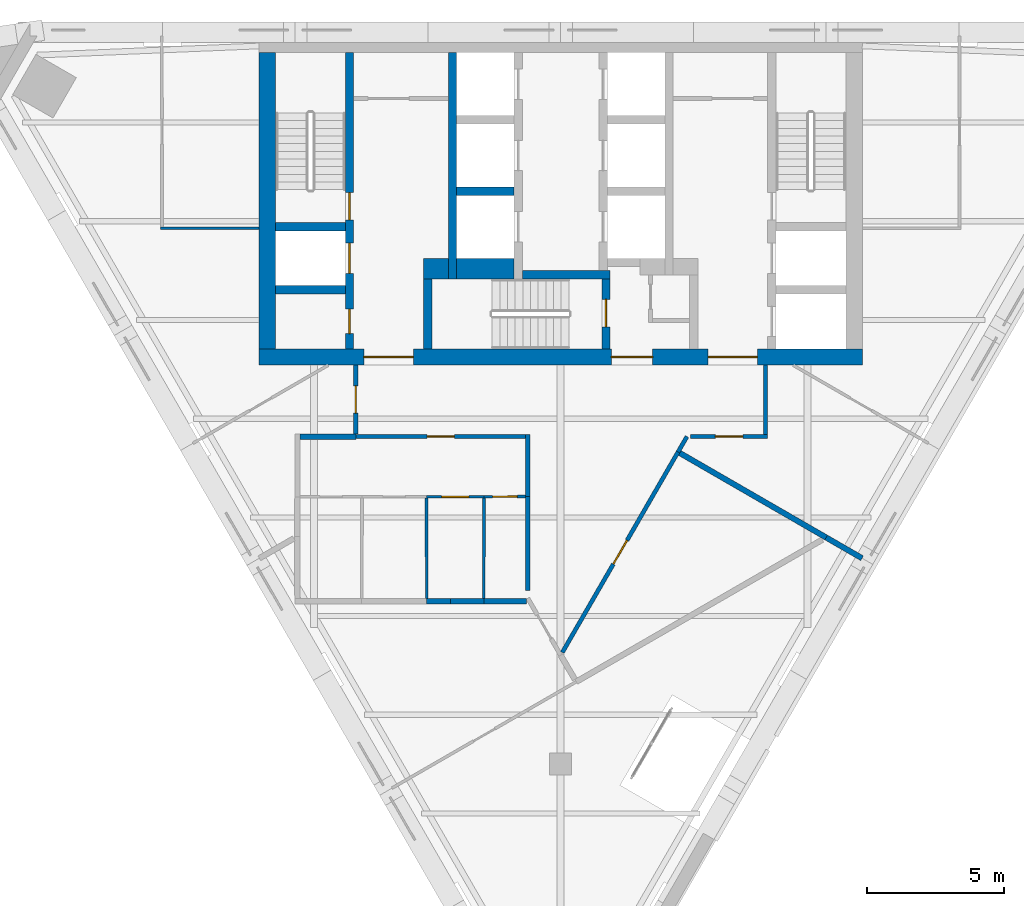
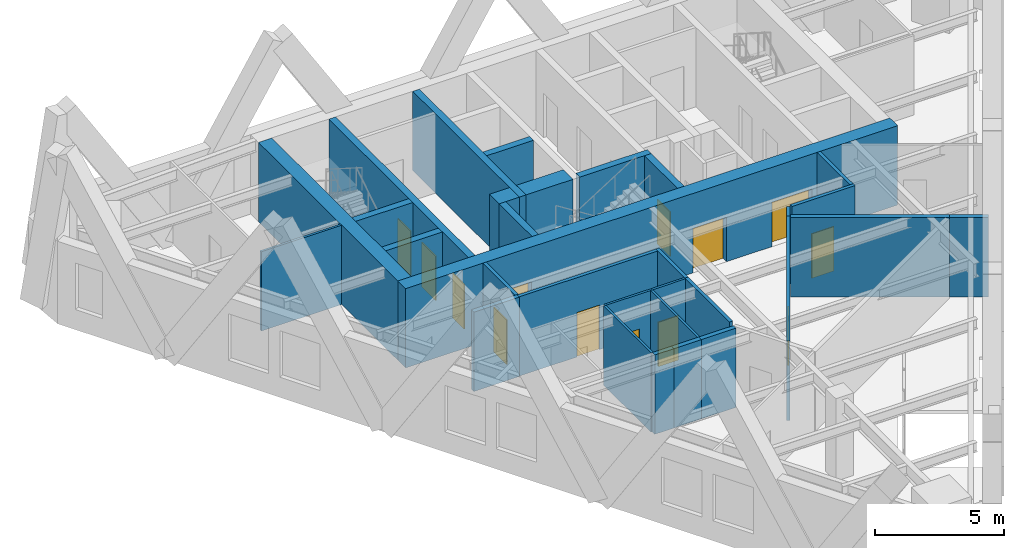
# One storey, part 5 of 10: 31 walls, 13 doors, 13 openings.
"""IFC4 building model written with IfcOpenShell, lengths in metres."""

from ifc_helpers import new_model, si_unit, direction, frame, frame_2d, origin, place, context, subcontext, project, spatial, rectangle, extrude, material, layer, layer_set, type_object, element, fill, save


model = new_model("IFC4")

# Units and contexts
model_context = context("Model", 3, precision=1e-05, world=origin(), true_north=direction((0.0, 1.0)))
body_context = subcontext(model_context, "Body", "Model", "MODEL_VIEW")
ifc_project = project(units=[si_unit("LENGTHUNIT", "METRE"), si_unit("AREAUNIT", "SQUARE_METRE"), si_unit("VOLUMEUNIT", "CUBIC_METRE"), si_unit("PLANEANGLEUNIT", "RADIAN"), si_unit("MASSUNIT", "GRAM", prefix="KILO")], contexts=[model_context])

# Site, building, storey
site_placement = place(None, origin())
site = spatial("IfcSite", under=ifc_project, at=site_placement, CompositionType="ELEMENT")
building_placement = place(site_placement, origin())
building = spatial("IfcBuilding", under=site, at=building_placement, Name="Aloe Facet Convention Tower", CompositionType="ELEMENT")
storey_placement = place(building_placement, frame((0.0, 0.0, 219.199951171875)))
storey = spatial("IfcBuildingStorey", under=building, at=storey_placement, Name="L55", CompositionType="ELEMENT", Elevation=219.199951171875)

# Walls
ifc_material_1 = material(Name="Concrete C50/60", Category="concrete")
ifc_layer_1 = layer(ifc_material_1, 0.300048828125)
ifc_layer_set_1 = layer_set([ifc_layer_1], Name="CR-W-RC300-C5060")
wall_type_1 = type_object("IfcWallType", Name="CR-W-RC300-C5060", PredefinedType="SOLIDWALL", material=ifc_layer_set_1)
for number, where, z_axis, x_axis, name in (
    (1, (69.60009765625, 127.60009765625, 0.0), (0.0, 0.0, 1.0), (1.0, 0.0, 0.0), "Core wall L55-004"),
    (2, (69.60009765625, 125.300048828125, 0.0), (0.0, 0.0, 1.0), (1.0, 0.0, 0.0), "Core wall L55-005"),
):
    element("IfcWall", number, at=place(storey_placement, frame(where, z_axis=z_axis, x_axis=x_axis)), inside=storey, type_object=wall_type_1, Name=name, PredefinedType="SOLIDWALL", context=body_context, shape_type="SweptSolid", body=[
        extrude(rectangle(XDim=2.5498046875, YDim=0.300048828125, at=frame_2d((1.27490234375, 0.0))), origin(), (0.0, 0.0, 1.0), 3.75),
    ])

# Wall, openings, doors
wall_1_placement = place(storey_placement, frame((72.300048828125, 133.949951171875, 0.0), z_axis=(0.0, 0.0, 1.0), x_axis=(0.0, -1.0, 0.0)))
wall_1 = element("IfcWall", 3, at=wall_1_placement, inside=storey, type_object=wall_type_1, Name="Core wall L55-006", PredefinedType="SOLIDWALL", context=body_context, shape_type="SweptSolid", body=[
    extrude(rectangle(XDim=10.800048828125, YDim=0.300048828125, at=frame_2d((5.39990234375, 0.0))), origin(), (0.0, 0.0, 1.0), 3.75),
])
opening_1_placement = place(wall_1_placement, frame((6.949951171875, 0.0, 0.0)))
opening_1 = element("IfcOpeningElement", 4, at=opening_1_placement, cuts=wall_1, Name="Opening LD-FF1-L55", PredefinedType="OPENING", context=body_context, shape_type="SweptSolid", body=[
    extrude(rectangle(XDim=1.10009765625, YDim=2.10009765625, at=frame_2d((0.550048828125, 1.050048828125))), frame((0.0, 0.16015625, 0.0), z_axis=(0.0, -1.0, 0.0), x_axis=(1.0, 0.0, 0.0)), (0.0, 0.0, 1.0), 0.320068359375),
])
opening_2_placement = place(wall_1_placement, frame((9.35009765625, 0.0, 0.0)))
opening_2 = element("IfcOpeningElement", 5, at=opening_2_placement, cuts=wall_1, Name="Opening L55-CD15", PredefinedType="OPENING", context=body_context, shape_type="SweptSolid", body=[
    extrude(rectangle(XDim=0.89990234375, YDim=2.10009765625, at=frame_2d((0.449951171875, 1.050048828125))), frame((0.0, 0.16015625, 0.0), z_axis=(0.0, -1.0, 0.0), x_axis=(1.0, 0.0, 0.0)), (0.0, 0.0, 1.0), 0.320068359375),
])
opening_3_placement = place(wall_1_placement, frame((5.10009765625, 0.0, 0.0)))
opening_3 = element("IfcOpeningElement", 6, at=opening_3_placement, cuts=wall_1, Name="Opening L55-CD16", PredefinedType="OPENING", context=body_context, shape_type="SweptSolid", body=[
    extrude(rectangle(XDim=1.0, YDim=2.10009765625, at=frame_2d((0.5, 1.050048828125))), frame((0.0, 0.16015625, 0.0), z_axis=(0.0, -1.0, 0.0), x_axis=(1.0, 0.0, 0.0)), (0.0, 0.0, 1.0), 0.320068359375),
])
ifc_material_2 = material(Name="Steel fire-resisting door set FD60", Category="steel")
door_type_1 = type_object("IfcDoorType", Name="CR-D-ROOM-900-FD60-SLEFT", OperationType="SINGLE_SWING_LEFT", PredefinedType="DOOR", material=ifc_material_2)
door_1_placement = place(opening_2_placement, origin())
door_1 = element("IfcDoor", 7, at=door_1_placement, inside=storey, type_object=door_type_1, Name="Core door L55-CD15", OperationType="SINGLE_SWING_LEFT", OverallHeight=2.10009765625, OverallWidth=0.89990234375, PredefinedType="DOOR", context=body_context, shape_type="SweptSolid", body=[
    extrude(rectangle(XDim=0.89990234375, YDim=2.10009765625, at=frame_2d((0.449951171875, 1.050048828125))), frame((0.0, 0.02490234375, 0.0), z_axis=(0.0, -1.0, 0.0), x_axis=(1.0, 0.0, 0.0)), (0.0, 0.0, 1.0), 0.050048828125),
])
fill(opening_2, door_1)
ifc_material_3 = material(Name="Steel fire-resisting door set FD120", Category="steel")
door_type_2 = type_object("IfcDoorType", Name="CR-D-STAIR-1000-FD120-SRIGHT", OperationType="SINGLE_SWING_RIGHT", PredefinedType="DOOR", material=ifc_material_3)
door_2_placement = place(opening_3_placement, origin())
door_2 = element("IfcDoor", 8, at=door_2_placement, inside=storey, type_object=door_type_2, Name="Core door L55-CD16", OperationType="SINGLE_SWING_RIGHT", OverallHeight=2.10009765625, OverallWidth=1.0, PredefinedType="DOOR", context=body_context, shape_type="SweptSolid", body=[
    extrude(rectangle(XDim=1.0, YDim=2.10009765625, at=frame_2d((0.5, 1.050048828125))), frame((0.0, 0.02490234375, 0.0), z_axis=(0.0, -1.0, 0.0), x_axis=(1.0, 0.0, 0.0)), (0.0, 0.0, 1.0), 0.050048828125),
])
fill(opening_3, door_2)
ifc_material_4 = material(Name="Stainless steel sliding landing door", Category="steel")
door_type_3 = type_object("IfcDoorType", Name="CR-LD-1100-FD120-_LEFT", OperationType="SLIDING_TO_LEFT", PredefinedType="DOOR", material=ifc_material_4)
door_3_placement = place(opening_1_placement, origin())
door_3 = element("IfcDoor", 9, at=door_3_placement, inside=storey, type_object=door_type_3, Name="Landing door FF1 L55", OperationType="SLIDING_TO_LEFT", OverallHeight=2.10009765625, OverallWidth=1.10009765625, PredefinedType="DOOR", context=body_context, shape_type="SweptSolid", body=[
    extrude(rectangle(XDim=1.10009765625, YDim=2.10009765625, at=frame_2d((0.550048828125, 1.050048828125))), frame((0.0, 0.02490234375, 0.0), z_axis=(0.0, -1.0, 0.0), x_axis=(1.0, 0.0, 0.0)), (0.0, 0.0, 1.0), 0.050048828125),
])
fill(opening_1, door_3)

# Walls
wall_2_placement = place(storey_placement, frame((75.14990234375, 125.699951171875, 0.0), z_axis=(0.0, 0.0, 1.0), x_axis=(0.0, -1.0, 0.0)))
element("IfcWall", 10, at=wall_2_placement, inside=storey, type_object=wall_type_1, Name="Core wall L55-009", PredefinedType="SOLIDWALL", context=body_context, shape_type="SweptSolid", body=[
    extrude(rectangle(XDim=2.550048828125, YDim=0.300048828125, at=frame_2d((1.27490234375, 0.0))), origin(), (0.0, 0.0, 1.0), 3.75),
])
wall_3_placement = place(storey_placement, frame((76.050048828125, 133.949951171875, 0.0), z_axis=(0.0, 0.0, 1.0), x_axis=(0.0, -1.0, 0.0)))
element("IfcWall", 11, at=wall_3_placement, inside=storey, type_object=wall_type_1, Name="Core wall L55-010", PredefinedType="SOLIDWALL", context=body_context, shape_type="SweptSolid", body=[
    extrude(rectangle(XDim=8.25, YDim=0.300048828125, at=frame_2d((4.125, 0.0))), origin(), (0.0, 0.0, 1.0), 3.75),
])
wall_4_placement = place(storey_placement, frame((76.199951171875, 128.89990234375, 0.0), z_axis=(0.0, 0.0, 1.0), x_axis=(1.0, 0.0, 0.0)))
element("IfcWall", 12, at=wall_4_placement, inside=storey, type_object=wall_type_1, Name="Core wall L55-012", PredefinedType="SOLIDWALL", context=body_context, shape_type="SweptSolid", body=[
    extrude(rectangle(XDim=2.10009765625, YDim=0.300048828125, at=frame_2d((1.050048828125, 0.0))), origin(), (0.0, 0.0, 1.0), 3.75),
])
wall_5_placement = place(storey_placement, frame((78.60009765625, 125.85009765625, 0.0), z_axis=(0.0, 0.0, 1.0), x_axis=(1.0, 0.0, 0.0)))
element("IfcWall", 13, at=wall_5_placement, inside=storey, type_object=wall_type_1, Name="Core wall L55-015", PredefinedType="SOLIDWALL", context=body_context, shape_type="SweptSolid", body=[
    extrude(rectangle(XDim=3.199951171875, YDim=0.300048828125, at=frame_2d((1.60009765625, 0.0))), origin(), (0.0, 0.0, 1.0), 3.75),
])

# Wall, opening, door
wall_6_placement = place(storey_placement, frame((81.64990234375, 125.699951171875, 0.0), z_axis=(0.0, 0.0, 1.0), x_axis=(0.0, -1.0, 0.0)))
wall_6 = element("IfcWall", 14, at=wall_6_placement, inside=storey, type_object=wall_type_1, Name="Core wall L55-017", PredefinedType="SOLIDWALL", context=body_context, shape_type="SweptSolid", body=[
    extrude(rectangle(XDim=2.550048828125, YDim=0.300048828125, at=frame_2d((1.27490234375, 0.0))), origin(), (0.0, 0.0, 1.0), 3.75),
])
opening_4_placement = place(wall_6_placement, frame((0.75, 0.0, 0.0)))
opening_4 = element("IfcOpeningElement", 15, at=opening_4_placement, cuts=wall_6, Name="Opening L55-CD18", PredefinedType="OPENING", context=body_context, shape_type="SweptSolid", body=[
    extrude(rectangle(XDim=1.0, YDim=2.10009765625, at=frame_2d((0.5, 1.050048828125))), frame((0.0, 0.16015625, 0.0), z_axis=(0.0, -1.0, 0.0), x_axis=(1.0, 0.0, 0.0)), (0.0, 0.0, 1.0), 0.320068359375),
])
ifc_material_5 = material(Name="Steel fire-resisting door set FD120", Category="steel")
door_type_4 = type_object("IfcDoorType", Name="CR-D-STAIR-1000-FD120-SLEFT", OperationType="SINGLE_SWING_LEFT", PredefinedType="DOOR", material=ifc_material_5)
door_4_placement = place(opening_4_placement, origin())
door_4 = element("IfcDoor", 16, at=door_4_placement, inside=storey, type_object=door_type_4, Name="Core door L55-CD18", OperationType="SINGLE_SWING_LEFT", OverallHeight=2.10009765625, OverallWidth=1.0, PredefinedType="DOOR", context=body_context, shape_type="SweptSolid", body=[
    extrude(rectangle(XDim=1.0, YDim=2.10009765625, at=frame_2d((0.5, 1.050048828125))), frame((0.0, 0.02490234375, 0.0), z_axis=(0.0, -1.0, 0.0), x_axis=(1.0, 0.0, 0.0)), (0.0, 0.0, 1.0), 0.050048828125),
])
fill(opening_4, door_4)

# Wall
ifc_material_6 = material(Name="Concrete C50/60", Category="concrete")
ifc_layer_2 = layer(ifc_material_6, 0.60009765625)
ifc_layer_set_2 = layer_set([ifc_layer_2], Name="CR-W-RC600-C5060")
wall_type_2 = type_object("IfcWallType", Name="CR-W-RC600-C5060", PredefinedType="SOLIDWALL", material=ifc_layer_set_2)
wall_7_placement = place(storey_placement, frame((69.300048828125, 133.949951171875, 0.0), z_axis=(0.0, 0.0, 1.0), x_axis=(0.0, -1.0, 0.0)))
element("IfcWall", 17, at=wall_7_placement, inside=storey, type_object=wall_type_2, Name="Core wall L55-002", PredefinedType="SOLIDWALL", context=body_context, shape_type="SweptSolid", body=[
    extrude(rectangle(XDim=10.800048828125, YDim=0.60009765625, at=frame_2d((5.39990234375, 0.0))), origin(), (0.0, 0.0, 1.0), 3.75),
])

# Wall, openings, doors
wall_8_placement = place(storey_placement, frame((69.0, 122.85009765625, 0.0), z_axis=(0.0, 0.0, 1.0), x_axis=(1.0, 0.0, 0.0)))
wall_8 = element("IfcWall", 18, at=wall_8_placement, inside=storey, type_object=wall_type_2, Name="Core wall L55-003", PredefinedType="SOLIDWALL", context=body_context, shape_type="SweptSolid", body=[
    extrude(rectangle(XDim=22.0, YDim=0.60009765625, at=frame_2d((11.0, 0.0))), origin(), (0.0, 0.0, 1.0), 3.75),
])
opening_5_placement = place(wall_8_placement, frame((16.375, 0.0, 0.0)))
opening_5 = element("IfcOpeningElement", 19, at=opening_5_placement, cuts=wall_8, Name="Opening L55-CD09", PredefinedType="OPENING", context=body_context, shape_type="SweptSolid", body=[
    extrude(rectangle(XDim=1.800048828125, YDim=2.10009765625, at=frame_2d((0.89990234375, 1.050048828125))), frame((0.0, 0.31005859375, 0.0), z_axis=(0.0, -1.0, 0.0), x_axis=(1.0, 0.0, 0.0)), (0.0, 0.0, 1.0), 0.6201171875),
])
opening_6_placement = place(wall_8_placement, frame((3.824951171875, 0.0, 0.0)))
opening_6 = element("IfcOpeningElement", 20, at=opening_6_placement, cuts=wall_8, Name="Opening L55-CD10", PredefinedType="OPENING", context=body_context, shape_type="SweptSolid", body=[
    extrude(rectangle(XDim=1.800048828125, YDim=2.10009765625, at=frame_2d((0.89990234375, 1.050048828125))), frame((0.0, 0.31005859375, 0.0), z_axis=(0.0, -1.0, 0.0), x_axis=(1.0, 0.0, 0.0)), (0.0, 0.0, 1.0), 0.6201171875),
])
opening_7_placement = place(wall_8_placement, frame((12.85009765625, 0.0, 0.0)))
opening_7 = element("IfcOpeningElement", 21, at=opening_7_placement, cuts=wall_8, Name="Opening L55-CD11", PredefinedType="OPENING", context=body_context, shape_type="SweptSolid", body=[
    extrude(rectangle(XDim=1.5, YDim=2.10009765625, at=frame_2d((0.75, 1.050048828125))), frame((0.0, 0.31005859375, 0.0), z_axis=(0.0, -1.0, 0.0), x_axis=(1.0, 0.0, 0.0)), (0.0, 0.0, 1.0), 0.6201171875),
])
ifc_material_7 = material(Name="Steel fire-resisting door set FD60", Category="steel")
door_type_5 = type_object("IfcDoorType", Name="CR-D-EXIT-1500-FD60-DD", OperationType="DOUBLE_DOOR_DOUBLE_SWING", PredefinedType="DOOR", material=ifc_material_7)
door_5_placement = place(opening_7_placement, origin())
door_5 = element("IfcDoor", 22, at=door_5_placement, inside=storey, type_object=door_type_5, Name="Core door L55-CD11", OperationType="DOUBLE_DOOR_DOUBLE_SWING", OverallHeight=2.10009765625, OverallWidth=1.5, PredefinedType="DOOR", context=body_context, shape_type="SweptSolid", body=[
    extrude(rectangle(XDim=1.5, YDim=2.10009765625, at=frame_2d((0.75, 1.050048828125))), frame((0.0, 0.02490234375, 0.0), z_axis=(0.0, -1.0, 0.0), x_axis=(1.0, 0.0, 0.0)), (0.0, 0.0, 1.0), 0.050048828125),
])
fill(opening_7, door_5)
ifc_material_8 = material(Name="Steel fire-resisting door set FD120", Category="steel")
door_type_6 = type_object("IfcDoorType", Name="CR-D-EXIT-1800-FD120-DD", OperationType="DOUBLE_DOOR_DOUBLE_SWING", PredefinedType="DOOR", material=ifc_material_8)
door_6_placement = place(opening_5_placement, origin())
door_6 = element("IfcDoor", 23, at=door_6_placement, inside=storey, type_object=door_type_6, Name="Core door L55-CD09", OperationType="DOUBLE_DOOR_DOUBLE_SWING", OverallHeight=2.10009765625, OverallWidth=1.800048828125, PredefinedType="DOOR", context=body_context, shape_type="SweptSolid", body=[
    extrude(rectangle(XDim=1.800048828125, YDim=2.10009765625, at=frame_2d((0.89990234375, 1.050048828125))), frame((0.0, 0.02490234375, 0.0), z_axis=(0.0, -1.0, 0.0), x_axis=(1.0, 0.0, 0.0)), (0.0, 0.0, 1.0), 0.050048828125),
])
fill(opening_5, door_6)
door_7_placement = place(opening_6_placement, origin())
door_7 = element("IfcDoor", 24, at=door_7_placement, inside=storey, type_object=door_type_6, Name="Core door L55-CD10", OperationType="DOUBLE_DOOR_DOUBLE_SWING", OverallHeight=2.10009765625, OverallWidth=1.800048828125, PredefinedType="DOOR", context=body_context, shape_type="SweptSolid", body=[
    extrude(rectangle(XDim=1.800048828125, YDim=2.10009765625, at=frame_2d((0.89990234375, 1.050048828125))), frame((0.0, 0.02490234375, 0.0), z_axis=(0.0, -1.0, 0.0), x_axis=(1.0, 0.0, 0.0)), (0.0, 0.0, 1.0), 0.050048828125),
])
fill(opening_6, door_7)

# Walls
ifc_material_9 = material(Name="Concrete C50/60", Category="concrete")
ifc_layer_3 = layer(ifc_material_9, 0.75)
ifc_layer_set_3 = layer_set([ifc_layer_3], Name="CR-W-RC750-C5060")
wall_type_3 = type_object("IfcWallType", Name="CR-W-RC750-C5060", PredefinedType="SOLIDWALL", material=ifc_layer_set_3)
wall_9_placement = place(storey_placement, frame((75.0, 126.074951171875, 0.0), z_axis=(0.0, 0.0, 1.0), x_axis=(1.0, 0.0, 0.0)))
element("IfcWall", 25, at=wall_9_placement, inside=storey, type_object=wall_type_3, Name="Core wall L55-008", PredefinedType="SOLIDWALL", context=body_context, shape_type="SweptSolid", body=[
    extrude(rectangle(XDim=0.89990234375, YDim=0.75, at=frame_2d((0.449951171875, 0.0))), origin(), (0.0, 0.0, 1.0), 3.75),
])
wall_10_placement = place(storey_placement, frame((76.199951171875, 126.074951171875, 0.0), z_axis=(0.0, 0.0, 1.0), x_axis=(1.0, 0.0, 0.0)))
element("IfcWall", 26, at=wall_10_placement, inside=storey, type_object=wall_type_3, Name="Core wall L55-013", PredefinedType="SOLIDWALL", context=body_context, shape_type="SweptSolid", body=[
    extrude(rectangle(XDim=2.10009765625, YDim=0.75, at=frame_2d((1.050048828125, 0.0))), origin(), (0.0, 0.0, 1.0), 3.75),
])
ifc_material_10 = material(Name="Gypsum board partition on steel studs", Category="steel")
ifc_layer_4 = layer(ifc_material_10, 0.14990234375)
ifc_layer_set_4 = layer_set([ifc_layer_4], Name="IN-W-CORR")
wall_type_4 = type_object("IfcWallType", Name="IN-W-CORR", PredefinedType="PARTITIONING", material=ifc_layer_set_4)
wall_11_placement = place(storey_placement, frame((78.800048828125, 114.328857421875, 0.0), z_axis=(0.0, 0.0, 1.0), x_axis=(0.0, 1.0, 0.0)))
element("IfcWall", 27, at=wall_11_placement, inside=storey, type_object=wall_type_4, Name="Partition L55-W011", PredefinedType="PARTITIONING", context=body_context, shape_type="SweptSolid", body=[
    extrude(rectangle(XDim=3.43115234375, YDim=0.14990234375, at=frame_2d((1.715576171875, 0.0))), origin(), (0.0, 0.0, 1.0), 3.75),
])
wall_12_placement = place(storey_placement, frame((78.800048828125, 117.760009765625, 0.0), z_axis=(0.0, 0.0, 1.0), x_axis=(0.0, 1.0, 0.0)))
element("IfcWall", 28, at=wall_12_placement, inside=storey, type_object=wall_type_4, Name="Partition L55-W016", PredefinedType="PARTITIONING", context=body_context, shape_type="SweptSolid", body=[
    extrude(rectangle(XDim=2.262939453125, YDim=0.14990234375, at=frame_2d((1.13134765625, 0.0))), origin(), (0.0, 0.0, 1.0), 3.75),
])

# Wall, opening, door
wall_13_placement = place(storey_placement, frame((80.06005859375, 112.074462890625, 0.0), z_axis=(0.0, 0.0, 1.0), x_axis=(0.500005339912, 0.866022320763, 0.0)))
wall_13 = element("IfcWall", 29, at=wall_13_placement, inside=storey, type_object=wall_type_4, Name="Partition L55-W025", PredefinedType="PARTITIONING", context=body_context, shape_type="SweptSolid", body=[
    extrude(rectangle(XDim=8.44189453125, YDim=0.14990234375, at=frame_2d((4.220947265625, 0.0))), origin(), (0.0, 0.0, 1.0), 3.75),
])
opening_8_placement = place(wall_13_placement, frame((3.720947265625, 0.0, 0.0)))
opening_8 = element("IfcOpeningElement", 30, at=opening_8_placement, cuts=wall_13, Name="Opening L55-011", PredefinedType="OPENING", context=body_context, shape_type="SweptSolid", body=[
    extrude(rectangle(XDim=1.0, YDim=2.10009765625, at=frame_2d((0.5, 1.050048828125))), frame((0.0, 0.0849609375, 0.0), z_axis=(0.0, -1.0, 0.0), x_axis=(1.0, 0.0, 0.0)), (0.0, 0.0, 1.0), 0.169921875),
])
ifc_material_11 = material(Name="Timber door FD30S with vision panel", Category="wood")
door_type_7 = type_object("IfcDoorType", Name="IN-OFF-D-ENTRY", OperationType="SINGLE_SWING_LEFT", PredefinedType="DOOR", material=ifc_material_11)
door_8_placement = place(opening_8_placement, origin())
door_8 = element("IfcDoor", 31, at=door_8_placement, inside=storey, type_object=door_type_7, Name="Door L55-011", OperationType="SINGLE_SWING_LEFT", OverallHeight=2.10009765625, OverallWidth=1.0, PredefinedType="DOOR", context=body_context, shape_type="SweptSolid", body=[
    extrude(rectangle(XDim=1.0, YDim=2.10009765625, at=frame_2d((0.5, 1.050048828125))), frame((0.0, 0.02490234375, 0.0), z_axis=(0.0, -1.0, 0.0), x_axis=(1.0, 0.0, 0.0)), (0.0, 0.0, 1.0), 0.050048828125),
])
fill(opening_8, door_8)

# Wall
wall_14_placement = place(storey_placement, frame((84.281005859375, 119.38525390625, 0.0), z_axis=(0.0, 0.0, 1.0), x_axis=(0.499971370958, 0.866041932139, 0.0)))
element("IfcWall", 32, at=wall_14_placement, inside=storey, type_object=wall_type_4, Name="Partition L55-W028", PredefinedType="PARTITIONING", context=body_context, shape_type="SweptSolid", body=[
    extrude(rectangle(XDim=0.65087890625, YDim=0.14990234375, at=frame_2d((0.325439453125, 0.0))), origin(), (0.0, 0.0, 1.0), 3.75),
])

# Wall, opening, door
wall_15_placement = place(storey_placement, frame((72.52490234375, 120.050048828125, 0.0), z_axis=(0.0, 0.0, 1.0), x_axis=(0.0, 1.0, 0.0)))
wall_15 = element("IfcWall", 33, at=wall_15_placement, inside=storey, type_object=wall_type_4, Name="Partition L55-W031", PredefinedType="PARTITIONING", context=body_context, shape_type="SweptSolid", body=[
    extrude(rectangle(XDim=2.5, YDim=0.14990234375, at=frame_2d((1.25, 0.0))), origin(), (0.0, 0.0, 1.0), 3.75),
])
opening_9_placement = place(wall_15_placement, frame((0.75, 0.0, 0.0)))
opening_9 = element("IfcOpeningElement", 34, at=opening_9_placement, cuts=wall_15, Name="Opening L55-009", PredefinedType="OPENING", context=body_context, shape_type="SweptSolid", body=[
    extrude(rectangle(XDim=1.0, YDim=2.10009765625, at=frame_2d((0.5, 1.050048828125))), frame((0.0, 0.0849609375, 0.0), z_axis=(0.0, -1.0, 0.0), x_axis=(1.0, 0.0, 0.0)), (0.0, 0.0, 1.0), 0.169921875),
])
door_9_placement = place(opening_9_placement, origin())
door_9 = element("IfcDoor", 35, at=door_9_placement, inside=storey, type_object=door_type_7, Name="Door L55-009", OperationType="SINGLE_SWING_LEFT", OverallHeight=2.10009765625, OverallWidth=1.0, PredefinedType="DOOR", context=body_context, shape_type="SweptSolid", body=[
    extrude(rectangle(XDim=1.0, YDim=2.10009765625, at=frame_2d((0.5, 1.050048828125))), frame((0.0, 0.02490234375, 0.0), z_axis=(0.0, -1.0, 0.0), x_axis=(1.0, 0.0, 0.0)), (0.0, 0.0, 1.0), 0.050048828125),
])
fill(opening_9, door_9)

wall_16_placement = place(storey_placement, frame((72.52490234375, 119.949951171875, 0.0), z_axis=(0.0, 0.0, 1.0), x_axis=(0.999999950384, -0.000315010222, 0.0)))
wall_16 = element("IfcWall", 36, at=wall_16_placement, inside=storey, type_object=wall_type_4, Name="Partition L55-W032", PredefinedType="PARTITIONING", context=body_context, shape_type="SweptSolid", body=[
    extrude(rectangle(XDim=6.2001953125, YDim=0.14990234375, at=frame_2d((3.10009765625, 0.0))), origin(), (0.0, 0.0, 1.0), 3.75),
])
opening_10_placement = place(wall_16_placement, frame((2.60009765625, 0.0, 0.0)))
opening_10 = element("IfcOpeningElement", 37, at=opening_10_placement, cuts=wall_16, Name="Opening L55-001", PredefinedType="OPENING", context=body_context, shape_type="SweptSolid", body=[
    extrude(rectangle(XDim=1.0, YDim=2.10009765625, at=frame_2d((0.5, 1.050048828125))), frame((0.0, 0.0849609375, 0.0), z_axis=(0.0, -1.0, 0.0), x_axis=(1.0, 0.0, 0.0)), (0.0, 0.0, 1.0), 0.169921875),
])
door_10_placement = place(opening_10_placement, origin())
door_10 = element("IfcDoor", 38, at=door_10_placement, inside=storey, type_object=door_type_7, Name="Door L55-001", OperationType="SINGLE_SWING_LEFT", OverallHeight=2.10009765625, OverallWidth=1.0, PredefinedType="DOOR", context=body_context, shape_type="SweptSolid", body=[
    extrude(rectangle(XDim=1.0, YDim=2.10009765625, at=frame_2d((0.5, 1.050048828125))), frame((0.0, 0.02490234375, 0.0), z_axis=(0.0, -1.0, 0.0), x_axis=(1.0, 0.0, 0.0)), (0.0, 0.0, 1.0), 0.050048828125),
])
fill(opening_10, door_10)

wall_17_placement = place(storey_placement, frame((84.736328125, 119.948974609375, 0.0), z_axis=(0.0, 0.0, 1.0), x_axis=(0.999999939771, 0.000347071563, 0.0)))
wall_17 = element("IfcWall", 39, at=wall_17_placement, inside=storey, type_object=wall_type_4, Name="Partition L55-W033", PredefinedType="PARTITIONING", context=body_context, shape_type="SweptSolid", body=[
    extrude(rectangle(XDim=2.813720703125, YDim=0.14990234375, at=frame_2d((1.40673828125, 0.0))), origin(), (0.0, 0.0, 1.0), 3.75),
])
opening_11_placement = place(wall_17_placement, frame((0.90673828125, 0.0, 0.0)))
opening_11 = element("IfcOpeningElement", 40, at=opening_11_placement, cuts=wall_17, Name="Opening L55-012", PredefinedType="OPENING", context=body_context, shape_type="SweptSolid", body=[
    extrude(rectangle(XDim=1.0, YDim=2.10009765625, at=frame_2d((0.5, 1.050048828125))), frame((0.0, 0.0849609375, 0.0), z_axis=(0.0, -1.0, 0.0), x_axis=(1.0, 0.0, 0.0)), (0.0, 0.0, 1.0), 0.169921875),
])
door_11_placement = place(opening_11_placement, origin())
door_11 = element("IfcDoor", 41, at=door_11_placement, inside=storey, type_object=door_type_7, Name="Door L55-012", OperationType="SINGLE_SWING_LEFT", OverallHeight=2.10009765625, OverallWidth=1.0, PredefinedType="DOOR", context=body_context, shape_type="SweptSolid", body=[
    extrude(rectangle(XDim=1.0, YDim=2.10009765625, at=frame_2d((0.5, 1.050048828125))), frame((0.0, 0.02490234375, 0.0), z_axis=(0.0, -1.0, 0.0), x_axis=(1.0, 0.0, 0.0)), (0.0, 0.0, 1.0), 0.050048828125),
])
fill(opening_11, door_11)

# Walls
wall_18_placement = place(storey_placement, frame((87.474853515625, 120.02490234375, 0.0), z_axis=(0.0, 0.0, 1.0), x_axis=(9.6683747e-05, 0.999999995326, 0.0)))
element("IfcWall", 42, at=wall_18_placement, inside=storey, type_object=wall_type_4, Name="Partition L55-W034", PredefinedType="PARTITIONING", context=body_context, shape_type="SweptSolid", body=[
    extrude(rectangle(XDim=2.525146484375, YDim=0.14990234375, at=frame_2d((1.2626953125, 0.0))), origin(), (0.0, 0.0, 1.0), 3.75),
])
ifc_material_12 = material(Name="Gypsum board partition on steel studs", Category="steel")
ifc_layer_5 = layer(ifc_material_12, 0.10009765625)
ifc_layer_set_5 = layer_set([ifc_layer_5], Name="IN-W-PART")
wall_type_5 = type_object("IfcWallType", Name="IN-W-PART", PredefinedType="PARTITIONING", material=ifc_layer_set_5)
wall_19_placement = place(storey_placement, frame((75.11376953125, 114.047119140625, 0.0), z_axis=(0.0, 0.0, 1.0), x_axis=(-0.00260659454, 0.999996602827, 0.0)))
element("IfcWall", 43, at=wall_19_placement, inside=storey, type_object=wall_type_5, Name="Partition L55-W019", PredefinedType="PARTITIONING", context=body_context, shape_type="SweptSolid", body=[
    extrude(rectangle(XDim=3.65283203125, YDim=0.10009765625, at=frame_2d((1.826416015625, 0.0))), origin(), (0.0, 0.0, 1.0), 3.75),
])
wall_20_placement = place(storey_placement, frame((77.1943359375, 114.050048828125, 0.0), z_axis=(0.0, 0.0, 1.0), x_axis=(0.002608686776, 0.999996597371, 0.0)))
element("IfcWall", 44, at=wall_20_placement, inside=storey, type_object=wall_type_5, Name="Partition L55-W021", PredefinedType="PARTITIONING", context=body_context, shape_type="SweptSolid", body=[
    extrude(rectangle(XDim=3.64990234375, YDim=0.10009765625, at=frame_2d((1.824951171875, 0.0))), origin(), (0.0, 0.0, 1.0), 3.75),
])

# Wall, opening, door
wall_21_placement = place(storey_placement, frame((75.10400390625, 117.75, 0.0), z_axis=(0.0, 0.0, 1.0), x_axis=(1.0, 0.0, 0.0)))
wall_21 = element("IfcWall", 45, at=wall_21_placement, inside=storey, type_object=wall_type_5, Name="Partition L55-W022", PredefinedType="PARTITIONING", context=body_context, shape_type="SweptSolid", body=[
    extrude(rectangle(XDim=2.10009765625, YDim=0.10009765625, at=frame_2d((1.050048828125, 0.0))), origin(), (0.0, 0.0, 1.0), 3.75),
])
opening_12_placement = place(wall_21_placement, frame((0.550048828125, 0.0, 0.0)))
opening_12 = element("IfcOpeningElement", 46, at=opening_12_placement, cuts=wall_21, Name="Opening L55-004", PredefinedType="OPENING", context=body_context, shape_type="SweptSolid", body=[
    extrude(rectangle(XDim=1.0, YDim=2.10009765625, at=frame_2d((0.5, 1.050048828125))), frame((0.0, 0.06005859375, 0.0), z_axis=(0.0, -1.0, 0.0), x_axis=(1.0, 0.0, 0.0)), (0.0, 0.0, 1.0), 0.1201171875),
])
ifc_material_13 = material(Name="Timber door", Category="wood")
door_type_8 = type_object("IfcDoorType", Name="IN-OFF-D-WIDE", OperationType="SINGLE_SWING_LEFT", PredefinedType="DOOR", material=ifc_material_13)
door_12_placement = place(opening_12_placement, origin())
door_12 = element("IfcDoor", 47, at=door_12_placement, inside=storey, type_object=door_type_8, Name="Door L55-004", OperationType="SINGLE_SWING_LEFT", OverallHeight=2.10009765625, OverallWidth=1.0, PredefinedType="DOOR", context=body_context, shape_type="SweptSolid", body=[
    extrude(rectangle(XDim=1.0, YDim=2.10009765625, at=frame_2d((0.5, 1.050048828125))), frame((0.0, 0.02490234375, 0.0), z_axis=(0.0, -1.0, 0.0), x_axis=(1.0, 0.0, 0.0)), (0.0, 0.0, 1.0), 0.050048828125),
])
fill(opening_12, door_12)

wall_22_placement = place(storey_placement, frame((77.2041015625, 117.75, 0.0), z_axis=(0.0, 0.0, 1.0), x_axis=(0.999980406575, 0.006259909447, 0.0)))
wall_22 = element("IfcWall", 48, at=wall_22_placement, inside=storey, type_object=wall_type_5, Name="Partition L55-W023", PredefinedType="PARTITIONING", context=body_context, shape_type="SweptSolid", body=[
    extrude(rectangle(XDim=1.52099609375, YDim=0.10009765625, at=frame_2d((0.760498046875, 0.0))), origin(), (0.0, 0.0, 1.0), 3.75),
])
opening_13_placement = place(wall_22_placement, frame((0.310546875, 0.0, 0.0)))
opening_13 = element("IfcOpeningElement", 49, at=opening_13_placement, cuts=wall_22, Name="Opening L55-005", PredefinedType="OPENING", context=body_context, shape_type="SweptSolid", body=[
    extrude(rectangle(XDim=0.89990234375, YDim=2.10009765625, at=frame_2d((0.449951171875, 1.050048828125))), frame((0.0, 0.06005859375, 0.0), z_axis=(0.0, -1.0, 0.0), x_axis=(1.0, 0.0, 0.0)), (0.0, 0.0, 1.0), 0.1201171875),
])
ifc_material_14 = material(Name="Timber door", Category="wood")
door_type_9 = type_object("IfcDoorType", Name="IN-OFF-D-ROOM", OperationType="SINGLE_SWING_LEFT", PredefinedType="DOOR", material=ifc_material_14)
door_13_placement = place(opening_13_placement, origin())
door_13 = element("IfcDoor", 50, at=door_13_placement, inside=storey, type_object=door_type_9, Name="Door L55-005", OperationType="SINGLE_SWING_LEFT", OverallHeight=2.10009765625, OverallWidth=0.89990234375, PredefinedType="DOOR", context=body_context, shape_type="SweptSolid", body=[
    extrude(rectangle(XDim=0.89990234375, YDim=2.10009765625, at=frame_2d((0.449951171875, 1.050048828125))), frame((0.0, 0.02490234375, 0.0), z_axis=(0.0, -1.0, 0.0), x_axis=(1.0, 0.0, 0.0)), (0.0, 0.0, 1.0), 0.050048828125),
])
fill(opening_13, door_13)

# Walls
wall_23_placement = place(storey_placement, frame((65.405517578125, 127.550048828125, 0.0), z_axis=(0.0, 0.0, 1.0), x_axis=(0.999999667846, -0.00081505101, 0.0)))
element("IfcWall", 51, at=wall_23_placement, inside=storey, type_object=wall_type_5, Name="Partition L55-W036", PredefinedType="PARTITIONING", context=body_context, shape_type="SweptSolid", body=[
    extrude(rectangle(XDim=3.594482421875, YDim=0.10009765625, at=frame_2d((1.79736328125, 0.0))), origin(), (0.0, 0.0, 1.0), 3.75),
])
ifc_material_15 = material(Name="Gypsum board partition on steel studs", Category="steel")
ifc_layer_6 = layer(ifc_material_15, 0.199951171875)
ifc_layer_set_6 = layer_set([ifc_layer_6], Name="IN-W-PARTY")
wall_type_6 = type_object("IfcWallType", Name="IN-W-PARTY", PredefinedType="PARTITIONING", material=ifc_layer_set_6)
wall_24_placement = place(storey_placement, frame((75.114013671875, 113.947021484375, 0.0), z_axis=(0.0, 0.0, 1.0), x_axis=(1.0, 0.0, 0.0)))
element("IfcWall", 52, at=wall_24_placement, inside=storey, type_object=wall_type_6, Name="Partition L55-W007", PredefinedType="PARTITIONING", context=body_context, shape_type="SweptSolid", body=[
    extrude(rectangle(XDim=0.862060546875, YDim=0.199951171875, at=frame_2d((0.43115234375, 0.0))), origin(), (0.0, 0.0, 1.0), 3.75),
])
wall_25_placement = place(storey_placement, frame((75.97607421875, 113.947021484375, 0.0), z_axis=(0.0, 0.0, 1.0), x_axis=(0.999997107299, 0.002405284684, 0.0)))
element("IfcWall", 53, at=wall_25_placement, inside=storey, type_object=wall_type_6, Name="Partition L55-W008", PredefinedType="PARTITIONING", context=body_context, shape_type="SweptSolid", body=[
    extrude(rectangle(XDim=1.218017578125, YDim=0.199951171875, at=frame_2d((0.60888671875, 0.0))), origin(), (0.0, 0.0, 1.0), 3.75),
])
wall_26_placement = place(storey_placement, frame((77.194091796875, 113.949951171875, 0.0), z_axis=(0.0, 0.0, 1.0), x_axis=(1.0, 0.0, 0.0)))
element("IfcWall", 54, at=wall_26_placement, inside=storey, type_object=wall_type_6, Name="Partition L55-W009", PredefinedType="PARTITIONING", context=body_context, shape_type="SweptSolid", body=[
    extrude(rectangle(XDim=1.553955078125, YDim=0.199951171875, at=frame_2d((0.77685546875, 0.0))), origin(), (0.0, 0.0, 1.0), 3.75),
])
wall_27_placement = place(storey_placement, frame((89.682373046875, 116.266845703125, 0.0), z_axis=(0.0, 0.0, 1.0), x_axis=(0.866000172474, -0.500043699366, 0.0)))
element("IfcWall", 55, at=wall_27_placement, inside=storey, type_object=wall_type_6, Name="Partition L55-W013", PredefinedType="PARTITIONING", context=body_context, shape_type="SweptSolid", body=[
    extrude(rectangle(XDim=1.512939453125, YDim=0.199951171875, at=frame_2d((0.75634765625, 0.0))), origin(), (0.0, 0.0, 1.0), 3.75),
])
wall_28_placement = place(storey_placement, frame((84.345947265625, 119.34765625, 0.0), z_axis=(0.0, 0.0, 1.0), x_axis=(0.866037793621, -0.49997853956, 0.0)))
element("IfcWall", 56, at=wall_28_placement, inside=storey, type_object=wall_type_6, Name="Partition L55-W014", PredefinedType="PARTITIONING", context=body_context, shape_type="SweptSolid", body=[
    extrude(rectangle(XDim=6.161865234375, YDim=0.199951171875, at=frame_2d((3.0810546875, 0.0))), origin(), (0.0, 0.0, 1.0), 3.75),
])
wall_29_placement = place(storey_placement, frame((70.5, 119.949951171875, 0.0), z_axis=(0.0, 0.0, 1.0), x_axis=(1.0, 0.0, 0.0)))
element("IfcWall", 57, at=wall_29_placement, inside=storey, type_object=wall_type_6, Name="Partition L55-W030", PredefinedType="PARTITIONING", context=body_context, shape_type="SweptSolid", body=[
    extrude(rectangle(XDim=2.02490234375, YDim=0.199951171875, at=frame_2d((1.012451171875, 0.0))), origin(), (0.0, 0.0, 1.0), 3.75),
])

save(model, "model.ifc")
